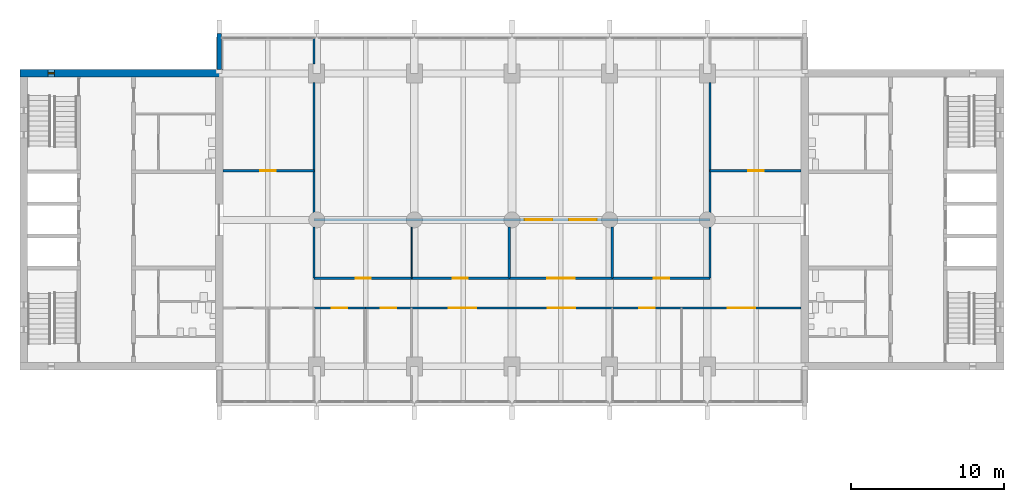
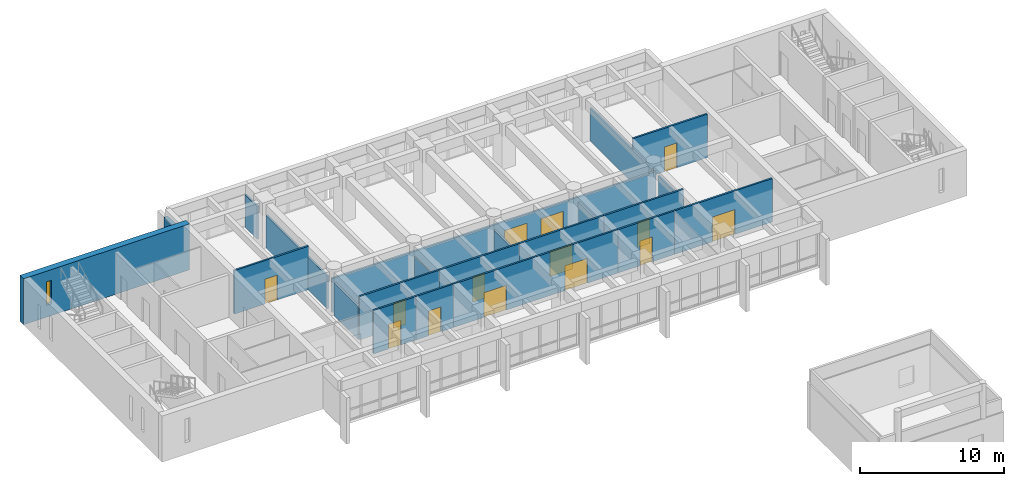
# One storey, part 13 of 19: 22 walls, 14 doors, 1 window, 15 openings.
"""IFC4 building model written with IfcOpenShell, lengths in metres."""

from ifc_helpers import new_model, si_unit, direction, frame, frame_2d, origin, place, context, subcontext, project, spatial, rectangle, extrude, material, layer, layer_set, type_object, element, fill, save


model = new_model("IFC4")

# Units and contexts
model_context = context("Model", 3, precision=1e-05, world=origin(), true_north=direction((0.0, 1.0)))
body_context = subcontext(model_context, "Body", "Model", "MODEL_VIEW")
ifc_project = project(units=[si_unit("LENGTHUNIT", "METRE"), si_unit("AREAUNIT", "SQUARE_METRE"), si_unit("VOLUMEUNIT", "CUBIC_METRE"), si_unit("PLANEANGLEUNIT", "RADIAN"), si_unit("MASSUNIT", "GRAM", prefix="KILO")], contexts=[model_context])

# Site, building, storey
site_placement = place(None, origin())
site = spatial("IfcSite", under=ifc_project, at=site_placement, CompositionType="ELEMENT")
building_placement = place(site_placement, origin())
building = spatial("IfcBuilding", under=site, at=building_placement, Name="Fogon Plaza Fire Station and Headquarters Tower", CompositionType="ELEMENT")
storey_placement = place(building_placement, frame((0.0, 0.0, 24.89990234375)))
storey = spatial("IfcBuildingStorey", under=building, at=storey_placement, Name="L06", CompositionType="ELEMENT", Elevation=24.89990234375)

# Wall
ifc_material_1 = material(Name="Concrete C40", Category="concrete")
ifc_layer_1 = layer(ifc_material_1, 0.300048828125)
ifc_layer_set_1 = layer_set([ifc_layer_1], Name="Concrete C40")
wall_type_1 = type_object("IfcWallType", Name="Fair-faced RC Return Panel 300", PredefinedType="SOLIDWALL", material=ifc_layer_set_1)
wall_1_placement = place(storey_placement, frame((25.60009765625, 53.050048828125, 0.0), z_axis=(0.0, 0.0, 1.0), x_axis=(0.0, 1.0, 0.0)))
element("IfcWall", 1, at=wall_1_placement, inside=storey, type_object=wall_type_1, Name="Bar end return WN L06", PredefinedType="SOLIDWALL", context=body_context, shape_type="SweptSolid", body=[
    extrude(rectangle(XDim=2.349853515625, YDim=0.300048828125, at=frame_2d((1.1748046875, 0.0))), origin(), (0.0, 0.0, 1.0), 2.880126953125),
])

# Wall, opening, window
ifc_material_2 = material(Name="Concrete C40", Category="concrete")
ifc_layer_2 = layer(ifc_material_2, 0.5)
ifc_layer_set_2 = layer_set([ifc_layer_2], Name="Concrete C40")
wall_type_2 = type_object("IfcWallType", Name="Shear wall 500 SW50", PredefinedType="SHEAR", material=ifc_layer_set_2)
wall_2_placement = place(storey_placement, frame((12.550048828125, 52.800048828125, 0.0), z_axis=(0.0, 0.0, 1.0), x_axis=(1.0, 0.0, 0.0)))
wall_2 = element("IfcWall", 2, at=wall_2_placement, inside=storey, type_object=wall_type_2, Name="wall-coreA-N-L06", PredefinedType="SHEAR", context=body_context, shape_type="SweptSolid", body=[
    extrude(rectangle(XDim=13.300048828125, YDim=0.5, at=frame_2d((6.64990234375, 0.0))), origin(), (0.0, 0.0, 1.0), 3.900146484375),
])
opening_1_placement = place(wall_2_placement, frame((1.85009765625, 0.0, 1.0)))
opening_1 = element("IfcOpeningElement", 3, at=opening_1_placement, cuts=wall_2, Name="Opening WS1", PredefinedType="OPENING", context=body_context, shape_type="SweptSolid", body=[
    extrude(rectangle(XDim=0.39990234375, YDim=2.0, at=frame_2d((0.199951171875, 1.0))), frame((0.0, 0.260009765625, 0.0), z_axis=(0.0, -1.0, 0.0), x_axis=(1.0, 0.0, 0.0)), (0.0, 0.0, 1.0), 0.52001953125),
])
ifc_material_3 = material(Name="Aluminium framed double glazing", Category="aluminium")
window_type = type_object("IfcWindowType", Name="Slit Window WS1 400x2000", PartitioningType="SINGLE_PANEL", PredefinedType="WINDOW", material=ifc_material_3)
window_placement = place(opening_1_placement, origin())
window = element("IfcWindow", 4, at=window_placement, inside=storey, type_object=window_type, Name="Slit window A6 L06", OverallHeight=2.0, OverallWidth=0.39990234375, PartitioningType="SINGLE_PANEL", PredefinedType="WINDOW", context=body_context, shape_type="SweptSolid", body=[
    extrude(rectangle(XDim=0.39990234375, YDim=2.0, at=frame_2d((0.199951171875, 1.0))), frame((0.0, 0.030029296875, 0.0), z_axis=(0.0, -1.0, 0.0), x_axis=(1.0, 0.0, 0.0)), (0.0, 0.0, 1.0), 0.06005859375),
])
fill(opening_1, window)

# Wall, opening, door
ifc_material_4 = material(Name="Gypsum board on steel stud", Category="steel")
ifc_layer_3 = layer(ifc_material_4, 0.14990234375)
ifc_layer_set_3 = layer_set([ifc_layer_3], Name="Gypsum board on steel stud")
wall_type_3 = type_object("IfcWallType", Name="Tower corridor partition 150 EI 60", PredefinedType="PARTITIONING", material=ifc_layer_set_3)
wall_3_placement = place(storey_placement, frame((31.820068359375, 37.425048828125, 0.0), z_axis=(0.0, 0.0, 1.0), x_axis=(1.0, 0.0, 0.0)))
wall_3 = element("IfcWall", 5, at=wall_3_placement, inside=storey, type_object=wall_type_3, Name="part-L06-03", PredefinedType="PARTITIONING", context=body_context, shape_type="SweptSolid", body=[
    extrude(rectangle(XDim=3.3798828125, YDim=0.14990234375, at=frame_2d((1.68994140625, 0.0))), origin(), (0.0, 0.0, 1.0), 3.68017578125),
])
opening_2_placement = place(wall_3_placement, frame((1.179931640625, 0.0, 0.0)))
opening_2 = element("IfcOpeningElement", 6, at=opening_2_placement, cuts=wall_3, Name="Opening L06-D31", PredefinedType="OPENING", context=body_context, shape_type="SweptSolid", body=[
    extrude(rectangle(XDim=1.0, YDim=2.10009765625, at=frame_2d((0.5, 1.050048828125))), frame((0.0, 0.0849609375, 0.0), z_axis=(0.0, -1.0, 0.0), x_axis=(1.0, 0.0, 0.0)), (0.0, 0.0, 1.0), 0.169921875),
])
ifc_material_5 = material(Name="Timber fire door", Category="wood")
door_type_1 = type_object("IfcDoorType", Name="Tower fire door single 1000 EI 20", OperationType="SINGLE_SWING_LEFT", PredefinedType="DOOR", material=ifc_material_5)
door_1_placement = place(opening_2_placement, frame((1.0, 0.0, 0.0), z_axis=(0.0, 0.0, 1.0), x_axis=(-1.0, 0.0, 0.0)))
door_1 = element("IfcDoor", 7, at=door_1_placement, inside=storey, type_object=door_type_1, Name="door-L06-03", OperationType="SINGLE_SWING_LEFT", OverallHeight=2.10009765625, OverallWidth=1.0, PredefinedType="DOOR", context=body_context, shape_type="SweptSolid", body=[
    extrude(rectangle(XDim=1.0, YDim=2.10009765625, at=frame_2d((0.5, 1.050048828125))), frame((0.0, 0.02490234375, 0.0), z_axis=(0.0, -1.0, 0.0), x_axis=(1.0, 0.0, 0.0)), (0.0, 0.0, 1.0), 0.050048828125),
])
fill(opening_2, door_1)

wall_4_placement = place(storey_placement, frame((35.199951171875, 37.425048828125, 0.0), z_axis=(0.0, 0.0, 1.0), x_axis=(1.0, 0.0, 0.0)))
wall_4 = element("IfcWall", 8, at=wall_4_placement, inside=storey, type_object=wall_type_3, Name="part-L06-04", PredefinedType="PARTITIONING", context=body_context, shape_type="SweptSolid", body=[
    extrude(rectangle(XDim=3.02001953125, YDim=0.14990234375, at=frame_2d((1.510009765625, 0.0))), origin(), (0.0, 0.0, 1.0), 3.68017578125),
])
opening_3_placement = place(wall_4_placement, frame((1.0, 0.0, 0.0)))
opening_3 = element("IfcOpeningElement", 9, at=opening_3_placement, cuts=wall_4, Name="Opening L06-D32", PredefinedType="OPENING", context=body_context, shape_type="SweptSolid", body=[
    extrude(rectangle(XDim=1.0, YDim=2.10009765625, at=frame_2d((0.5, 1.050048828125))), frame((0.0, 0.0849609375, 0.0), z_axis=(0.0, -1.0, 0.0), x_axis=(1.0, 0.0, 0.0)), (0.0, 0.0, 1.0), 0.169921875),
])
door_2_placement = place(opening_3_placement, frame((1.0, 0.0, 0.0), z_axis=(0.0, 0.0, 1.0), x_axis=(-1.0, 0.0, 0.0)))
door_2 = element("IfcDoor", 10, at=door_2_placement, inside=storey, type_object=door_type_1, Name="door-L06-04", OperationType="SINGLE_SWING_RIGHT", OverallHeight=2.10009765625, OverallWidth=1.0, PredefinedType="DOOR", context=body_context, shape_type="SweptSolid", body=[
    extrude(rectangle(XDim=1.0, YDim=2.10009765625, at=frame_2d((0.5, 1.050048828125))), frame((0.0, 0.02490234375, 0.0), z_axis=(0.0, -1.0, 0.0), x_axis=(1.0, 0.0, 0.0)), (0.0, 0.0, 1.0), 0.050048828125),
])
fill(opening_3, door_2)

# Wall, openings, doors
wall_5_placement = place(storey_placement, frame((38.219970703125, 37.425048828125, 0.0), z_axis=(0.0, 0.0, 1.0), x_axis=(1.0, 0.0, 0.0)))
wall_5 = element("IfcWall", 11, at=wall_5_placement, inside=storey, type_object=wall_type_3, Name="part-L06-05", PredefinedType="PARTITIONING", context=body_context, shape_type="SweptSolid", body=[
    extrude(rectangle(XDim=13.159912109375, YDim=0.14990234375, at=frame_2d((6.580078125, 0.0))), origin(), (0.0, 0.0, 1.0), 3.68017578125),
])
opening_4_placement = place(wall_5_placement, frame((2.429931640625, 0.0, 0.0)))
opening_4 = element("IfcOpeningElement", 12, at=opening_4_placement, cuts=wall_5, Name="Opening L06-D33", PredefinedType="OPENING", context=body_context, shape_type="SweptSolid", body=[
    extrude(rectangle(XDim=1.800048828125, YDim=2.10009765625, at=frame_2d((0.89990234375, 1.050048828125))), frame((0.0, 0.0849609375, 0.0), z_axis=(0.0, -1.0, 0.0), x_axis=(1.0, 0.0, 0.0)), (0.0, 0.0, 1.0), 0.169921875),
])
opening_5_placement = place(wall_5_placement, frame((8.929931640625, 0.0, 0.0)))
opening_5 = element("IfcOpeningElement", 13, at=opening_5_placement, cuts=wall_5, Name="Opening L06-D34", PredefinedType="OPENING", context=body_context, shape_type="SweptSolid", body=[
    extrude(rectangle(XDim=1.800048828125, YDim=2.10009765625, at=frame_2d((0.89990234375, 1.050048828125))), frame((0.0, 0.0849609375, 0.0), z_axis=(0.0, -1.0, 0.0), x_axis=(1.0, 0.0, 0.0)), (0.0, 0.0, 1.0), 0.169921875),
])
ifc_material_6 = material(Name="Timber fire door", Category="wood")
door_type_2 = type_object("IfcDoorType", Name="Tower fire door double 1800 EI 20", OperationType="DOUBLE_DOOR_SINGLE_SWING", PredefinedType="DOOR", material=ifc_material_6)
door_3_placement = place(opening_4_placement, frame((1.800048828125, 0.0, 0.0), z_axis=(0.0, 0.0, 1.0), x_axis=(-1.0, 0.0, 0.0)))
door_3 = element("IfcDoor", 14, at=door_3_placement, inside=storey, type_object=door_type_2, Name="door-L06-05", OperationType="DOUBLE_DOOR_SINGLE_SWING", OverallHeight=2.10009765625, OverallWidth=1.800048828125, PredefinedType="DOOR", context=body_context, shape_type="SweptSolid", body=[
    extrude(rectangle(XDim=1.800048828125, YDim=2.10009765625, at=frame_2d((0.89990234375, 1.050048828125))), frame((0.0, 0.02490234375, 0.0), z_axis=(0.0, -1.0, 0.0), x_axis=(1.0, 0.0, 0.0)), (0.0, 0.0, 1.0), 0.050048828125),
])
fill(opening_4, door_3)
door_4_placement = place(opening_5_placement, frame((1.800048828125, 0.0, 0.0), z_axis=(0.0, 0.0, 1.0), x_axis=(-1.0, 0.0, 0.0)))
door_4 = element("IfcDoor", 15, at=door_4_placement, inside=storey, type_object=door_type_2, Name="door-L06-06", OperationType="DOUBLE_DOOR_SINGLE_SWING", OverallHeight=2.10009765625, OverallWidth=1.800048828125, PredefinedType="DOOR", context=body_context, shape_type="SweptSolid", body=[
    extrude(rectangle(XDim=1.800048828125, YDim=2.10009765625, at=frame_2d((0.89990234375, 1.050048828125))), frame((0.0, 0.02490234375, 0.0), z_axis=(0.0, -1.0, 0.0), x_axis=(1.0, 0.0, 0.0)), (0.0, 0.0, 1.0), 0.050048828125),
])
fill(opening_5, door_4)

# Wall, opening, door
wall_6_placement = place(storey_placement, frame((51.3798828125, 37.425048828125, 0.0), z_axis=(0.0, 0.0, 1.0), x_axis=(1.0, 0.0, 0.0)))
wall_6 = element("IfcWall", 16, at=wall_6_placement, inside=storey, type_object=wall_type_3, Name="part-L06-06", PredefinedType="PARTITIONING", context=body_context, shape_type="SweptSolid", body=[
    extrude(rectangle(XDim=4.530029296875, YDim=0.14990234375, at=frame_2d((2.26513671875, 0.0))), origin(), (0.0, 0.0, 1.0), 3.68017578125),
])
opening_6_placement = place(wall_6_placement, frame((1.77001953125, 0.0, 0.0)))
opening_6 = element("IfcOpeningElement", 17, at=opening_6_placement, cuts=wall_6, Name="Opening L06-D35", PredefinedType="OPENING", context=body_context, shape_type="SweptSolid", body=[
    extrude(rectangle(XDim=1.0, YDim=2.10009765625, at=frame_2d((0.5, 1.050048828125))), frame((0.0, 0.0849609375, 0.0), z_axis=(0.0, -1.0, 0.0), x_axis=(1.0, 0.0, 0.0)), (0.0, 0.0, 1.0), 0.169921875),
])
ifc_material_7 = material(Name="Fire rated glazed door")
door_type_3 = type_object("IfcDoorType", Name="Tower glazed fire door single 1000 EI 20", OperationType="SINGLE_SWING_LEFT", PredefinedType="DOOR", material=ifc_material_7)
door_5_placement = place(opening_6_placement, frame((1.0, 0.0, 0.0), z_axis=(0.0, 0.0, 1.0), x_axis=(-1.0, 0.0, 0.0)))
door_5 = element("IfcDoor", 18, at=door_5_placement, inside=storey, type_object=door_type_3, Name="door-L06-07", OperationType="SINGLE_SWING_LEFT", OverallHeight=2.10009765625, OverallWidth=1.0, PredefinedType="DOOR", context=body_context, shape_type="SweptSolid", body=[
    extrude(rectangle(XDim=1.0, YDim=2.10009765625, at=frame_2d((0.5, 1.050048828125))), frame((0.0, 0.02490234375, 0.0), z_axis=(0.0, -1.0, 0.0), x_axis=(1.0, 0.0, 0.0)), (0.0, 0.0, 1.0), 0.050048828125),
])
fill(opening_6, door_5)

wall_7_placement = place(storey_placement, frame((55.909912109375, 37.425048828125, 0.0), z_axis=(0.0, 0.0, 1.0), x_axis=(1.0, 0.0, 0.0)))
wall_7 = element("IfcWall", 19, at=wall_7_placement, inside=storey, type_object=wall_type_3, Name="part-L06-07", PredefinedType="PARTITIONING", context=body_context, shape_type="SweptSolid", body=[
    extrude(rectangle(XDim=7.840087890625, YDim=0.14990234375, at=frame_2d((3.919921875, 0.0))), origin(), (0.0, 0.0, 1.0), 3.68017578125),
])
opening_7_placement = place(wall_7_placement, frame((3.0400390625, 0.0, 0.0)))
opening_7 = element("IfcOpeningElement", 20, at=opening_7_placement, cuts=wall_7, Name="Opening L06-D36", PredefinedType="OPENING", context=body_context, shape_type="SweptSolid", body=[
    extrude(rectangle(XDim=1.800048828125, YDim=2.10009765625, at=frame_2d((0.89990234375, 1.050048828125))), frame((0.0, 0.0849609375, 0.0), z_axis=(0.0, -1.0, 0.0), x_axis=(1.0, 0.0, 0.0)), (0.0, 0.0, 1.0), 0.169921875),
])
door_6_placement = place(opening_7_placement, frame((1.800048828125, 0.0, 0.0), z_axis=(0.0, 0.0, 1.0), x_axis=(-1.0, 0.0, 0.0)))
door_6 = element("IfcDoor", 21, at=door_6_placement, inside=storey, type_object=door_type_2, Name="door-L06-08", OperationType="DOUBLE_DOOR_SINGLE_SWING", OverallHeight=2.10009765625, OverallWidth=1.800048828125, PredefinedType="DOOR", context=body_context, shape_type="SweptSolid", body=[
    extrude(rectangle(XDim=1.800048828125, YDim=2.10009765625, at=frame_2d((0.89990234375, 1.050048828125))), frame((0.0, 0.02490234375, 0.0), z_axis=(0.0, -1.0, 0.0), x_axis=(1.0, 0.0, 0.0)), (0.0, 0.0, 1.0), 0.050048828125),
])
fill(opening_7, door_6)

wall_8_placement = place(storey_placement, frame((31.820068359375, 39.375, 0.0), z_axis=(0.0, 0.0, 1.0), x_axis=(1.0, 0.0, 0.0)))
wall_8 = element("IfcWall", 22, at=wall_8_placement, inside=storey, type_object=wall_type_3, Name="part-L06-17", PredefinedType="PARTITIONING", context=body_context, shape_type="SweptSolid", body=[
    extrude(rectangle(XDim=6.39990234375, YDim=0.14990234375, at=frame_2d((3.199951171875, 0.0))), origin(), (0.0, 0.0, 1.0), 3.68017578125),
])
opening_8_placement = place(wall_8_placement, frame((2.72998046875, 0.0, 0.0)))
opening_8 = element("IfcOpeningElement", 23, at=opening_8_placement, cuts=wall_8, Name="Opening L06-D37", PredefinedType="OPENING", context=body_context, shape_type="SweptSolid", body=[
    extrude(rectangle(XDim=1.0, YDim=2.10009765625, at=frame_2d((0.5, 1.050048828125))), frame((0.0, 0.0849609375, 0.0), z_axis=(0.0, -1.0, 0.0), x_axis=(1.0, 0.0, 0.0)), (0.0, 0.0, 1.0), 0.169921875),
])
door_7_placement = place(opening_8_placement, origin())
door_7 = element("IfcDoor", 24, at=door_7_placement, inside=storey, type_object=door_type_3, Name="door-L06-09", OperationType="SINGLE_SWING_LEFT", OverallHeight=2.10009765625, OverallWidth=1.0, PredefinedType="DOOR", context=body_context, shape_type="SweptSolid", body=[
    extrude(rectangle(XDim=1.0, YDim=2.10009765625, at=frame_2d((0.5, 1.050048828125))), frame((0.0, 0.02490234375, 0.0), z_axis=(0.0, -1.0, 0.0), x_axis=(1.0, 0.0, 0.0)), (0.0, 0.0, 1.0), 0.050048828125),
])
fill(opening_8, door_7)

wall_9_placement = place(storey_placement, frame((38.219970703125, 39.375, 0.0), z_axis=(0.0, 0.0, 1.0), x_axis=(1.0, 0.0, 0.0)))
wall_9 = element("IfcWall", 25, at=wall_9_placement, inside=storey, type_object=wall_type_3, Name="part-L06-18", PredefinedType="PARTITIONING", context=body_context, shape_type="SweptSolid", body=[
    extrude(rectangle(XDim=6.400146484375, YDim=0.14990234375, at=frame_2d((3.2001953125, 0.0))), origin(), (0.0, 0.0, 1.0), 3.68017578125),
])
opening_9_placement = place(wall_9_placement, frame((2.679931640625, 0.0, 0.0)))
opening_9 = element("IfcOpeningElement", 26, at=opening_9_placement, cuts=wall_9, Name="Opening L06-D38", PredefinedType="OPENING", context=body_context, shape_type="SweptSolid", body=[
    extrude(rectangle(XDim=1.0, YDim=2.10009765625, at=frame_2d((0.5, 1.050048828125))), frame((0.0, 0.0849609375, 0.0), z_axis=(0.0, -1.0, 0.0), x_axis=(1.0, 0.0, 0.0)), (0.0, 0.0, 1.0), 0.169921875),
])
door_8_placement = place(opening_9_placement, origin())
door_8 = element("IfcDoor", 27, at=door_8_placement, inside=storey, type_object=door_type_3, Name="door-L06-10", OperationType="SINGLE_SWING_RIGHT", OverallHeight=2.10009765625, OverallWidth=1.0, PredefinedType="DOOR", context=body_context, shape_type="SweptSolid", body=[
    extrude(rectangle(XDim=1.0, YDim=2.10009765625, at=frame_2d((0.5, 1.050048828125))), frame((0.0, 0.02490234375, 0.0), z_axis=(0.0, -1.0, 0.0), x_axis=(1.0, 0.0, 0.0)), (0.0, 0.0, 1.0), 0.050048828125),
])
fill(opening_9, door_8)

wall_10_placement = place(storey_placement, frame((44.6201171875, 39.375, 0.0), z_axis=(0.0, 0.0, 1.0), x_axis=(1.0, 0.0, 0.0)))
wall_10 = element("IfcWall", 28, at=wall_10_placement, inside=storey, type_object=wall_type_3, Name="part-L06-19", PredefinedType="PARTITIONING", context=body_context, shape_type="SweptSolid", body=[
    extrude(rectangle(XDim=6.759765625, YDim=0.14990234375, at=frame_2d((3.3798828125, 0.0))), origin(), (0.0, 0.0, 1.0), 3.68017578125),
])
opening_10_placement = place(wall_10_placement, frame((2.47998046875, 0.0, 0.0)))
opening_10 = element("IfcOpeningElement", 29, at=opening_10_placement, cuts=wall_10, Name="Opening L06-D39", PredefinedType="OPENING", context=body_context, shape_type="SweptSolid", body=[
    extrude(rectangle(XDim=1.800048828125, YDim=2.10009765625, at=frame_2d((0.89990234375, 1.050048828125))), frame((0.0, 0.0849609375, 0.0), z_axis=(0.0, -1.0, 0.0), x_axis=(1.0, 0.0, 0.0)), (0.0, 0.0, 1.0), 0.169921875),
])
door_9_placement = place(opening_10_placement, origin())
door_9 = element("IfcDoor", 30, at=door_9_placement, inside=storey, type_object=door_type_2, Name="door-L06-11", OperationType="DOUBLE_DOOR_SINGLE_SWING", OverallHeight=2.10009765625, OverallWidth=1.800048828125, PredefinedType="DOOR", context=body_context, shape_type="SweptSolid", body=[
    extrude(rectangle(XDim=1.800048828125, YDim=2.10009765625, at=frame_2d((0.89990234375, 1.050048828125))), frame((0.0, 0.02490234375, 0.0), z_axis=(0.0, -1.0, 0.0), x_axis=(1.0, 0.0, 0.0)), (0.0, 0.0, 1.0), 0.050048828125),
])
fill(opening_10, door_9)

wall_11_placement = place(storey_placement, frame((51.3798828125, 39.375, 0.0), z_axis=(0.0, 0.0, 1.0), x_axis=(1.0, 0.0, 0.0)))
wall_11 = element("IfcWall", 31, at=wall_11_placement, inside=storey, type_object=wall_type_3, Name="part-L06-20", PredefinedType="PARTITIONING", context=body_context, shape_type="SweptSolid", body=[
    extrude(rectangle(XDim=6.400146484375, YDim=0.14990234375, at=frame_2d((3.2001953125, 0.0))), origin(), (0.0, 0.0, 1.0), 3.68017578125),
])
opening_11_placement = place(wall_11_placement, frame((2.719970703125, 0.0, 0.0)))
opening_11 = element("IfcOpeningElement", 32, at=opening_11_placement, cuts=wall_11, Name="Opening L06-D40", PredefinedType="OPENING", context=body_context, shape_type="SweptSolid", body=[
    extrude(rectangle(XDim=1.0, YDim=2.10009765625, at=frame_2d((0.5, 1.050048828125))), frame((0.0, 0.0849609375, 0.0), z_axis=(0.0, -1.0, 0.0), x_axis=(1.0, 0.0, 0.0)), (0.0, 0.0, 1.0), 0.169921875),
])
door_10_placement = place(opening_11_placement, origin())
door_10 = element("IfcDoor", 33, at=door_10_placement, inside=storey, type_object=door_type_3, Name="door-L06-12", OperationType="SINGLE_SWING_LEFT", OverallHeight=2.10009765625, OverallWidth=1.0, PredefinedType="DOOR", context=body_context, shape_type="SweptSolid", body=[
    extrude(rectangle(XDim=1.0, YDim=2.10009765625, at=frame_2d((0.5, 1.050048828125))), frame((0.0, 0.02490234375, 0.0), z_axis=(0.0, -1.0, 0.0), x_axis=(1.0, 0.0, 0.0)), (0.0, 0.0, 1.0), 0.050048828125),
])
fill(opening_11, door_10)

wall_12_placement = place(storey_placement, frame((25.85009765625, 46.425048828125, 0.0), z_axis=(0.0, 0.0, 1.0), x_axis=(1.0, 0.0, 0.0)))
wall_12 = element("IfcWall", 34, at=wall_12_placement, inside=storey, type_object=wall_type_3, Name="part-L06-25", PredefinedType="PARTITIONING", context=body_context, shape_type="SweptSolid", body=[
    extrude(rectangle(XDim=5.969970703125, YDim=0.14990234375, at=frame_2d((2.98486328125, 0.0))), origin(), (0.0, 0.0, 1.0), 3.68017578125),
])
opening_12_placement = place(wall_12_placement, frame((2.449951171875, 0.0, 0.0)))
opening_12 = element("IfcOpeningElement", 35, at=opening_12_placement, cuts=wall_12, Name="Opening L06-D41", PredefinedType="OPENING", context=body_context, shape_type="SweptSolid", body=[
    extrude(rectangle(XDim=1.0, YDim=2.10009765625, at=frame_2d((0.5, 1.050048828125))), frame((0.0, 0.0849609375, 0.0), z_axis=(0.0, -1.0, 0.0), x_axis=(1.0, 0.0, 0.0)), (0.0, 0.0, 1.0), 0.169921875),
])
door_11_placement = place(opening_12_placement, origin())
door_11 = element("IfcDoor", 36, at=door_11_placement, inside=storey, type_object=door_type_1, Name="door-L06-13", OperationType="SINGLE_SWING_RIGHT", OverallHeight=2.10009765625, OverallWidth=1.0, PredefinedType="DOOR", context=body_context, shape_type="SweptSolid", body=[
    extrude(rectangle(XDim=1.0, YDim=2.10009765625, at=frame_2d((0.5, 1.050048828125))), frame((0.0, 0.02490234375, 0.0), z_axis=(0.0, -1.0, 0.0), x_axis=(1.0, 0.0, 0.0)), (0.0, 0.0, 1.0), 0.050048828125),
])
fill(opening_12, door_11)

wall_13_placement = place(storey_placement, frame((57.780029296875, 46.425048828125, 0.0), z_axis=(0.0, 0.0, 1.0), x_axis=(1.0, 0.0, 0.0)))
wall_13 = element("IfcWall", 37, at=wall_13_placement, inside=storey, type_object=wall_type_3, Name="part-L06-29", PredefinedType="PARTITIONING", context=body_context, shape_type="SweptSolid", body=[
    extrude(rectangle(XDim=5.969970703125, YDim=0.14990234375, at=frame_2d((2.98486328125, 0.0))), origin(), (0.0, 0.0, 1.0), 3.68017578125),
])
opening_13_placement = place(wall_13_placement, frame((2.52001953125, 0.0, 0.0)))
opening_13 = element("IfcOpeningElement", 38, at=opening_13_placement, cuts=wall_13, Name="Opening L06-D42", PredefinedType="OPENING", context=body_context, shape_type="SweptSolid", body=[
    extrude(rectangle(XDim=1.0, YDim=2.10009765625, at=frame_2d((0.5, 1.050048828125))), frame((0.0, 0.0849609375, 0.0), z_axis=(0.0, -1.0, 0.0), x_axis=(1.0, 0.0, 0.0)), (0.0, 0.0, 1.0), 0.169921875),
])
door_12_placement = place(opening_13_placement, origin())
door_12 = element("IfcDoor", 39, at=door_12_placement, inside=storey, type_object=door_type_1, Name="door-L06-14", OperationType="SINGLE_SWING_LEFT", OverallHeight=2.10009765625, OverallWidth=1.0, PredefinedType="DOOR", context=body_context, shape_type="SweptSolid", body=[
    extrude(rectangle(XDim=1.0, YDim=2.10009765625, at=frame_2d((0.5, 1.050048828125))), frame((0.0, 0.02490234375, 0.0), z_axis=(0.0, -1.0, 0.0), x_axis=(1.0, 0.0, 0.0)), (0.0, 0.0, 1.0), 0.050048828125),
])
fill(opening_13, door_12)

# Wall, openings, doors
ifc_material_8 = material(Name="Gypsum board on steel stud", Category="steel")
ifc_layer_4 = layer(ifc_material_8, 0.14990234375)
ifc_layer_set_4 = layer_set([ifc_layer_4], Name="Gypsum board on steel stud")
wall_type_4 = type_object("IfcWallType", Name="Tower corridor partition 150 EI 60 Beam Head 800", PredefinedType="PARTITIONING", material=ifc_layer_set_4)
wall_14_placement = place(storey_placement, frame((31.820068359375, 43.199951171875, 0.0), z_axis=(0.0, 0.0, 1.0), x_axis=(1.0, 0.0, 0.0)))
wall_14 = element("IfcWall", 40, at=wall_14_placement, inside=storey, type_object=wall_type_4, Name="part-L06-24", PredefinedType="PARTITIONING", context=body_context, shape_type="SweptSolid", body=[
    extrude(rectangle(XDim=25.9599609375, YDim=0.14990234375, at=frame_2d((12.97998046875, 0.0))), origin(), (0.0, 0.0, 1.0), 2.880126953125),
])
opening_14_placement = place(wall_14_placement, frame((13.824951171875, 0.0, 0.0)))
opening_14 = element("IfcOpeningElement", 41, at=opening_14_placement, cuts=wall_14, Name="Opening L06-D43", PredefinedType="OPENING", context=body_context, shape_type="SweptSolid", body=[
    extrude(rectangle(XDim=1.800048828125, YDim=2.10009765625, at=frame_2d((0.89990234375, 1.050048828125))), frame((0.0, 0.0849609375, 0.0), z_axis=(0.0, -1.0, 0.0), x_axis=(1.0, 0.0, 0.0)), (0.0, 0.0, 1.0), 0.169921875),
])
opening_15_placement = place(wall_14_placement, frame((16.72509765625, 0.0, 0.0)))
opening_15 = element("IfcOpeningElement", 42, at=opening_15_placement, cuts=wall_14, Name="Opening L06-D44", PredefinedType="OPENING", context=body_context, shape_type="SweptSolid", body=[
    extrude(rectangle(XDim=1.800048828125, YDim=2.10009765625, at=frame_2d((0.89990234375, 1.050048828125))), frame((0.0, 0.0849609375, 0.0), z_axis=(0.0, -1.0, 0.0), x_axis=(1.0, 0.0, 0.0)), (0.0, 0.0, 1.0), 0.169921875),
])
door_13_placement = place(opening_14_placement, origin())
door_13 = element("IfcDoor", 43, at=door_13_placement, inside=storey, type_object=door_type_2, Name="door-L06-15", OperationType="DOUBLE_DOOR_SINGLE_SWING", OverallHeight=2.10009765625, OverallWidth=1.800048828125, PredefinedType="DOOR", context=body_context, shape_type="SweptSolid", body=[
    extrude(rectangle(XDim=1.800048828125, YDim=2.10009765625, at=frame_2d((0.89990234375, 1.050048828125))), frame((0.0, 0.02490234375, 0.0), z_axis=(0.0, -1.0, 0.0), x_axis=(1.0, 0.0, 0.0)), (0.0, 0.0, 1.0), 0.050048828125),
])
fill(opening_14, door_13)
door_14_placement = place(opening_15_placement, origin())
door_14 = element("IfcDoor", 44, at=door_14_placement, inside=storey, type_object=door_type_2, Name="door-L06-16", OperationType="DOUBLE_DOOR_SINGLE_SWING", OverallHeight=2.10009765625, OverallWidth=1.800048828125, PredefinedType="DOOR", context=body_context, shape_type="SweptSolid", body=[
    extrude(rectangle(XDim=1.800048828125, YDim=2.10009765625, at=frame_2d((0.89990234375, 1.050048828125))), frame((0.0, 0.02490234375, 0.0), z_axis=(0.0, -1.0, 0.0), x_axis=(1.0, 0.0, 0.0)), (0.0, 0.0, 1.0), 0.050048828125),
])
fill(opening_15, door_14)

# Walls
ifc_material_9 = material(Name="Gypsum board on steel stud", Category="steel")
ifc_layer_5 = layer(ifc_material_9, 0.14990234375)
ifc_layer_set_5 = layer_set([ifc_layer_5], Name="Gypsum board on steel stud")
wall_type_5 = type_object("IfcWallType", Name="Tower corridor partition 150 EI 60 Beam Head 900", PredefinedType="PARTITIONING", material=ifc_layer_set_5)
for number, where, z_axis, x_axis, name in (
    (45, (44.6201171875, 39.375, 0.0), (0.0, 0.0, 1.0), (0.0, 1.0, 0.0), "part-L06-22"),
    (46, (51.3798828125, 39.375, 0.0), (0.0, 0.0, 1.0), (0.0, 1.0, 0.0), "part-L06-23"),
    (47, (31.820068359375, 39.375, 0.0), (0.0, 0.0, 1.0), (0.0, 1.0, 0.0), "part-L06-26"),
):
    element("IfcWall", number, at=place(storey_placement, frame(where, z_axis=z_axis, x_axis=x_axis)), inside=storey, type_object=wall_type_5, Name=name, PredefinedType="PARTITIONING", context=body_context, shape_type="SweptSolid", body=[
        extrude(rectangle(XDim=3.351806640625, YDim=0.14990234375, at=frame_2d((1.67578125, 0.0))), origin(), (0.0, 0.0, 1.0), 2.780029296875),
    ])
wall_15_placement = place(storey_placement, frame((31.820068359375, 43.673095703125, 0.0), z_axis=(0.0, 0.0, 1.0), x_axis=(0.0, 1.0, 0.0)))
element("IfcWall", 48, at=wall_15_placement, inside=storey, type_object=wall_type_5, Name="part-L06-27", PredefinedType="PARTITIONING", context=body_context, shape_type="SweptSolid", body=[
    extrude(rectangle(XDim=8.52197265625, YDim=0.14990234375, at=frame_2d((4.260986328125, 0.0))), origin(), (0.0, 0.0, 1.0), 2.780029296875),
])
wall_16_placement = place(storey_placement, frame((31.820068359375, 53.405029296875, 0.0), z_axis=(0.0, 0.0, 1.0), x_axis=(0.0, 1.0, 0.0)))
element("IfcWall", 49, at=wall_16_placement, inside=storey, type_object=wall_type_5, Name="part-L06-28", PredefinedType="PARTITIONING", context=body_context, shape_type="SweptSolid", body=[
    extrude(rectangle(XDim=1.695068359375, YDim=0.14990234375, at=frame_2d((0.84765625, 0.0))), origin(), (0.0, 0.0, 1.0), 2.780029296875),
])
wall_17_placement = place(storey_placement, frame((57.780029296875, 39.375, 0.0), z_axis=(0.0, 0.0, 1.0), x_axis=(0.0, 1.0, 0.0)))
element("IfcWall", 50, at=wall_17_placement, inside=storey, type_object=wall_type_5, Name="part-L06-30", PredefinedType="PARTITIONING", context=body_context, shape_type="SweptSolid", body=[
    extrude(rectangle(XDim=3.351806640625, YDim=0.14990234375, at=frame_2d((1.67578125, 0.0))), origin(), (0.0, 0.0, 1.0), 2.780029296875),
])
wall_18_placement = place(storey_placement, frame((57.780029296875, 43.673095703125, 0.0), z_axis=(0.0, 0.0, 1.0), x_axis=(0.0, 1.0, 0.0)))
element("IfcWall", 51, at=wall_18_placement, inside=storey, type_object=wall_type_5, Name="part-L06-31", PredefinedType="PARTITIONING", context=body_context, shape_type="SweptSolid", body=[
    extrude(rectangle(XDim=8.52197265625, YDim=0.14990234375, at=frame_2d((4.260986328125, 0.0))), origin(), (0.0, 0.0, 1.0), 2.780029296875),
])
ifc_material_10 = material(Name="Glazed aluminium partition", Category="aluminium")
ifc_layer_6 = layer(ifc_material_10, 0.074951171875)
ifc_layer_set_6 = layer_set([ifc_layer_6], Name="Glazed aluminium partition")
wall_type_6 = type_object("IfcWallType", Name="Tower glazed partition 75 Beam Head 900", PredefinedType="PARTITIONING", material=ifc_layer_set_6)
wall_19_placement = place(storey_placement, frame((38.219970703125, 39.375, 0.0), z_axis=(0.0, 0.0, 1.0), x_axis=(0.0, 1.0, 0.0)))
element("IfcWall", 52, at=wall_19_placement, inside=storey, type_object=wall_type_6, Name="part-L06-21", PredefinedType="PARTITIONING", context=body_context, shape_type="SweptSolid", body=[
    extrude(rectangle(XDim=3.351806640625, YDim=0.074951171875, at=frame_2d((1.67578125, 0.0))), origin(), (0.0, 0.0, 1.0), 2.780029296875),
])

save(model, "model.ifc")
